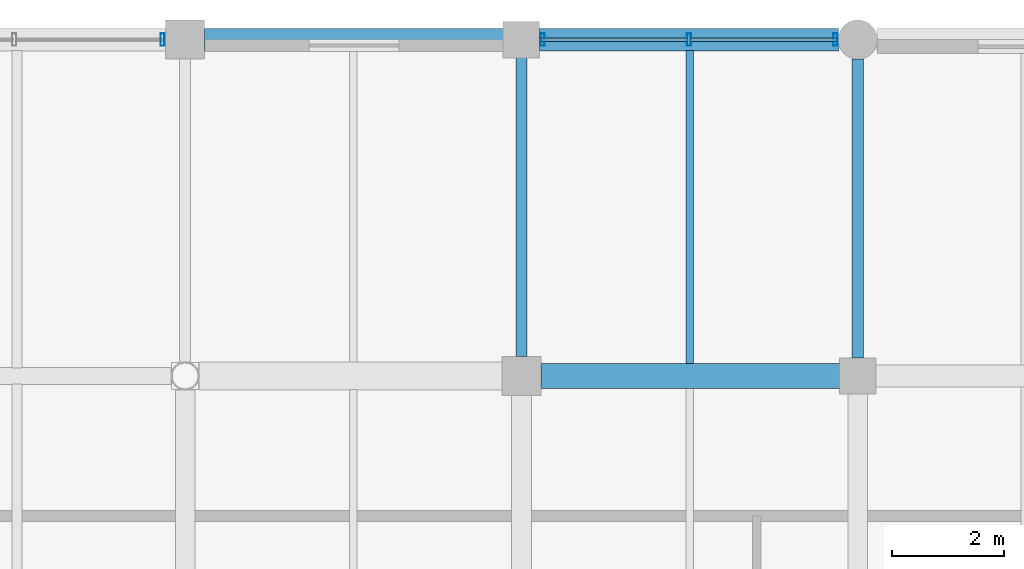
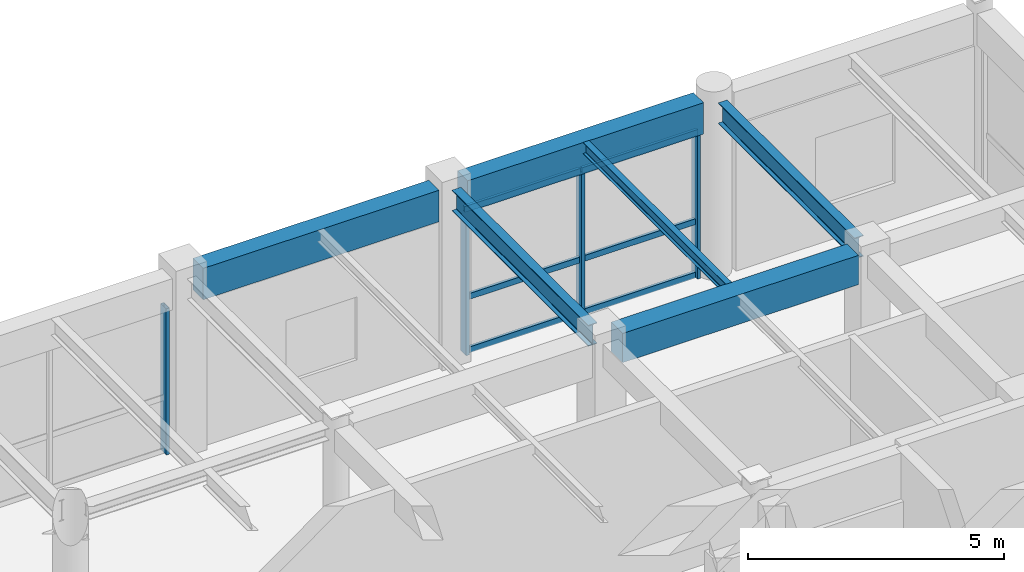
# One storey, part 75 of 116: 10 members, 6 beams, 2 elements without a shape of their own.
"""IFC4 building model written with IfcOpenShell, lengths in metres."""

from ifc_helpers import new_model, si_unit, direction, frame, origin, origin_2d, place, context, subcontext, project, spatial, rectangle, hollow_rectangle, i_section, extrude, material, material_profile, profile_set, type_object, element, aggregate, save


model = new_model("IFC4")

# Units and contexts
model_context = context("Model", 3, precision=1e-05, world=origin(), true_north=direction((0.0, 1.0)))
body_context = subcontext(model_context, "Body", "Model", "MODEL_VIEW")
ifc_project = project(units=[si_unit("LENGTHUNIT", "METRE"), si_unit("AREAUNIT", "SQUARE_METRE"), si_unit("VOLUMEUNIT", "CUBIC_METRE"), si_unit("PLANEANGLEUNIT", "RADIAN"), si_unit("MASSUNIT", "GRAM", prefix="KILO"), si_unit("THERMODYNAMICTEMPERATUREUNIT", "KELVIN"), si_unit("POWERUNIT", "WATT")], contexts=[model_context])

# Site, building, storey
site_placement = place(None, origin())
site = spatial("IfcSite", under=ifc_project, at=site_placement, CompositionType="ELEMENT")
building_placement = place(site_placement, origin())
building = spatial("IfcBuilding", under=site, at=building_placement, Name="Phaisarnlok Congress Hotel", CompositionType="ELEMENT")
storey_placement = place(building_placement, frame((0.0, 0.0, 10.5)))
storey = spatial("IfcBuildingStorey", under=building, at=storey_placement, Name="L02", CompositionType="ELEMENT", Elevation=10.5)

# Beams
ifc_material_1 = material(Name="Concrete C40/50", Category="concrete")
ifc_material_profile_1 = material_profile(ifc_material_1, rectangle(XDim=0.449951171875, YDim=0.699951171875, at=origin_2d()), Name="RC 450x700")
ifc_profile_set_1 = profile_set([ifc_material_profile_1], Name="Concrete C40/50")
beam_type_1 = type_object("IfcBeamType", Name="BM-RC-450x700", PredefinedType="BEAM", material=ifc_profile_set_1)
beam_1_placement = place(storey_placement, frame((168.344970703125, 120.0, 3.889892578125), z_axis=(1.0, 0.0, 0.0), x_axis=(0.0, 1.0, 0.0)))
element("IfcBeam", 1, at=beam_1_placement, inside=storey, type_object=beam_type_1, Name="Beam B-03", PredefinedType="BEAM", context=body_context, shape_type="SweptSolid", body=[
    extrude(rectangle(XDim=0.449951171875, YDim=0.699951171875, at=origin_2d()), origin(), (0.0, 0.0, 1.0), 5.3349609375),
])
ifc_material_2 = material(Name="Steel S355", Category="steel")
ifc_material_profile_2 = material_profile(ifc_material_2, i_section(OverallWidth=0.199951171875, OverallDepth=0.5, WebThickness=0.01025390625, FlangeThickness=0.01611328125, FilletRadius=0.02099609375, at=origin_2d()), Name="IPE 500")
ifc_profile_set_2 = profile_set([ifc_material_profile_2], Name="Steel S355")
beam_type_2 = type_object("IfcBeamType", Name="BM-STL-IPE500", PredefinedType="BEAM", material=ifc_profile_set_2)
for number, where, z_axis, x_axis, name in (
    (2, (168.0, 120.344970703125, 3.989990234375), (0.0, 1.0, 0.0), (-1.0, 0.0, 0.0), "Beam SB-02"),
    (3, (174.0, 120.320068359375, 3.989990234375), (0.0, 1.0, 0.0), (-1.0, 0.0, 0.0), "Beam SB-02"),
):
    element("IfcBeam", number, at=place(storey_placement, frame(where, z_axis=z_axis, x_axis=x_axis)), inside=storey, type_object=beam_type_2, Name=name, PredefinedType="BEAM", context=body_context, shape_type="SweptSolid", body=[
        extrude(i_section(OverallWidth=0.199951171875, OverallDepth=0.5, WebThickness=0.01025390625, FlangeThickness=0.01611328125, FilletRadius=0.02099609375, at=origin_2d()), origin(), (0.0, 0.0, 1.0), 5.3349609375),
    ])

# Curtain wall, members
ifc_material_3 = material(Name="Thermally Broken Unitised Aluminium & Low-E Glazing", Category="aluminium")
curtain_wall_type_1 = type_object("IfcCurtainWallType", Name="CW-UNIT-16", PredefinedType="NOTDEFINED", material=ifc_material_3)
curtain_wall_1_placement = place(storey_placement, origin())
curtain_wall_1 = element("IfcCurtainWall", 4, at=curtain_wall_1_placement, inside=storey, type_object=curtain_wall_type_1, Name="Unitised curtain wall CW-16 (L02)", PredefinedType="NOTDEFINED")
ifc_material_4 = material(Name="Anodised Aluminium Alloy 6063-T6", Category="aluminium")
ifc_material_profile_3 = material_profile(ifc_material_4, hollow_rectangle(XDim=0.074951171875, YDim=0.219970703125, WallThickness=0.0048828125, at=origin_2d()), Name="ALU-M 75x220x5")
ifc_profile_set_3 = profile_set([ifc_material_profile_3], Name="Anodised Aluminium Alloy 6063-T6")
member_type_1 = type_object("IfcMemberType", Name="CWM-220", PredefinedType="MULLION", material=ifc_profile_set_3)
member_1_placement = place(storey_placement, frame((173.60009765625, 126.0, 0.0), z_axis=(0.0, 0.0, 1.0), x_axis=(-1.0, 0.0, 0.0)))
member_1 = element("IfcMember", 5, at=member_1_placement, type_object=member_type_1, Name="Curtain wall mullion CWM-02", PredefinedType="MULLION", context=body_context, shape_type="SweptSolid", body=[
    extrude(hollow_rectangle(XDim=0.074951171875, YDim=0.219970703125, WallThickness=0.0048828125, at=origin_2d()), origin(), (0.0, 0.0, 1.0), 3.489990234375),
])
member_2_placement = place(storey_placement, frame((170.987548828125, 126.0, 0.0), z_axis=(0.0, 0.0, 1.0), x_axis=(-1.0, 0.0, 0.0)))
member_2 = element("IfcMember", 6, at=member_2_placement, type_object=member_type_1, Name="Curtain wall mullion CWM-02", PredefinedType="MULLION", context=body_context, shape_type="SweptSolid", body=[
    extrude(hollow_rectangle(XDim=0.074951171875, YDim=0.219970703125, WallThickness=0.0048828125, at=origin_2d()), origin(), (0.0, 0.0, 1.0), 3.489990234375),
])
member_3_placement = place(storey_placement, frame((168.375, 126.0, 0.0), z_axis=(0.0, 0.0, 1.0), x_axis=(-1.0, 0.0, 0.0)))
member_3 = element("IfcMember", 7, at=member_3_placement, type_object=member_type_1, Name="Curtain wall mullion CWM-02", PredefinedType="MULLION", context=body_context, shape_type="SweptSolid", body=[
    extrude(hollow_rectangle(XDim=0.074951171875, YDim=0.219970703125, WallThickness=0.0048828125, at=origin_2d()), origin(), (0.0, 0.0, 1.0), 3.489990234375),
])

# Curtain wall, member
curtain_wall_type_2 = type_object("IfcCurtainWallType", Name="CW-UNIT-17", PredefinedType="NOTDEFINED", material=ifc_material_3)
curtain_wall_2_placement = place(storey_placement, origin())
curtain_wall_2 = element("IfcCurtainWall", 8, at=curtain_wall_2_placement, inside=storey, type_object=curtain_wall_type_2, Name="Unitised curtain wall CW-17 (L02)", PredefinedType="NOTDEFINED")
member_4_placement = place(storey_placement, frame((161.60009765625, 126.0, 0.0), z_axis=(0.0, 0.0, 1.0), x_axis=(-1.0, 0.0, 0.0)))
member_4 = element("IfcMember", 9, at=member_4_placement, type_object=member_type_1, Name="Curtain wall mullion CWM-02", PredefinedType="MULLION", context=body_context, shape_type="SweptSolid", body=[
    extrude(hollow_rectangle(XDim=0.074951171875, YDim=0.219970703125, WallThickness=0.0048828125, at=origin_2d()), origin(), (0.0, 0.0, 1.0), 3.489990234375),
])
aggregate(curtain_wall_2, [member_4])

# Member
ifc_material_profile_4 = material_profile(ifc_material_4, hollow_rectangle(XDim=0.06494140625, YDim=0.139892578125, WallThickness=0.00390625, at=origin_2d()), Name="ALU-T 65x140x4")
ifc_profile_set_4 = profile_set([ifc_material_profile_4], Name="Anodised Aluminium Alloy 6063-T6")
member_type_2 = type_object("IfcMemberType", Name="CWT-150", PredefinedType="USERDEFINED", material=ifc_profile_set_4)
member_5_placement = place(storey_placement, frame((173.625, 126.0, 0.050048828125), z_axis=(-1.0, 0.0, 0.0), x_axis=(0.0, -1.0, 0.0)))
member_5 = element("IfcMember", 10, at=member_5_placement, type_object=member_type_2, Name="Curtain wall transom CWT-01", ObjectType="TRANSOM", PredefinedType="USERDEFINED", context=body_context, shape_type="SweptSolid", body=[
    extrude(hollow_rectangle(XDim=0.06494140625, YDim=0.139892578125, WallThickness=0.00390625, at=origin_2d()), origin(), (0.0, 0.0, 1.0), 2.62255859375),
])

member_6_placement = place(storey_placement, frame((173.625, 126.0, 1.326171875), z_axis=(-1.0, 0.0, 0.0), x_axis=(0.0, -1.0, 0.0)))
member_6 = element("IfcMember", 11, at=member_6_placement, type_object=member_type_2, Name="Curtain wall transom CWT-01", ObjectType="TRANSOM", PredefinedType="USERDEFINED", context=body_context, shape_type="SweptSolid", body=[
    extrude(hollow_rectangle(XDim=0.06494140625, YDim=0.139892578125, WallThickness=0.00390625, at=origin_2d()), origin(), (0.0, 0.0, 1.0), 2.62255859375),
])

member_7_placement = place(storey_placement, frame((173.625, 126.0, 3.43994140625), z_axis=(-1.0, 0.0, 0.0), x_axis=(0.0, -1.0, 0.0)))
member_7 = element("IfcMember", 12, at=member_7_placement, type_object=member_type_2, Name="Curtain wall transom CWT-01", ObjectType="TRANSOM", PredefinedType="USERDEFINED", context=body_context, shape_type="SweptSolid", body=[
    extrude(hollow_rectangle(XDim=0.06494140625, YDim=0.139892578125, WallThickness=0.00390625, at=origin_2d()), origin(), (0.0, 0.0, 1.0), 2.62255859375),
])

member_8_placement = place(storey_placement, frame((170.972412109375, 126.0, 0.050048828125), z_axis=(-1.0, 0.0, 0.0), x_axis=(0.0, -1.0, 0.0)))
member_8 = element("IfcMember", 13, at=member_8_placement, type_object=member_type_2, Name="Curtain wall transom CWT-01", ObjectType="TRANSOM", PredefinedType="USERDEFINED", context=body_context, shape_type="SweptSolid", body=[
    extrude(hollow_rectangle(XDim=0.06494140625, YDim=0.139892578125, WallThickness=0.00390625, at=origin_2d()), origin(), (0.0, 0.0, 1.0), 2.622314453125),
])

member_9_placement = place(storey_placement, frame((170.972412109375, 126.0, 1.326171875), z_axis=(-1.0, 0.0, 0.0), x_axis=(0.0, -1.0, 0.0)))
member_9 = element("IfcMember", 14, at=member_9_placement, type_object=member_type_2, Name="Curtain wall transom CWT-01", ObjectType="TRANSOM", PredefinedType="USERDEFINED", context=body_context, shape_type="SweptSolid", body=[
    extrude(hollow_rectangle(XDim=0.06494140625, YDim=0.139892578125, WallThickness=0.00390625, at=origin_2d()), origin(), (0.0, 0.0, 1.0), 2.622314453125),
])

member_10_placement = place(storey_placement, frame((170.972412109375, 126.0, 3.43994140625), z_axis=(-1.0, 0.0, 0.0), x_axis=(0.0, -1.0, 0.0)))
member_10 = element("IfcMember", 15, at=member_10_placement, type_object=member_type_2, Name="Curtain wall transom CWT-01", ObjectType="TRANSOM", PredefinedType="USERDEFINED", context=body_context, shape_type="SweptSolid", body=[
    extrude(hollow_rectangle(XDim=0.06494140625, YDim=0.139892578125, WallThickness=0.00390625, at=origin_2d()), origin(), (0.0, 0.0, 1.0), 2.622314453125),
])

aggregate(curtain_wall_1, [member_1, member_2, member_3, member_5, member_6, member_7, member_8, member_9, member_10])

# Beams
ifc_material_profile_5 = material_profile(ifc_material_2, i_section(OverallWidth=0.135009765625, OverallDepth=0.27001953125, WebThickness=0.006591796875, FlangeThickness=0.01025390625, FilletRadius=0.014892578125, at=origin_2d()), Name="IPE 270")
ifc_profile_set_5 = profile_set([ifc_material_profile_5], Name="Steel S355")
beam_type_3 = type_object("IfcBeamType", Name="JS-STL-IPE270", PredefinedType="JOIST", material=ifc_profile_set_5)
beam_2_placement = place(storey_placement, frame((171.0, 120.219970703125, 4.10498046875), z_axis=(0.0, 1.0, 0.0), x_axis=(-1.0, 0.0, 0.0)))
element("IfcBeam", 16, at=beam_2_placement, inside=storey, type_object=beam_type_3, Name="Secondary floor joist J-02", PredefinedType="JOIST", context=body_context, shape_type="SweptSolid", body=[
    extrude(i_section(OverallWidth=0.135009765625, OverallDepth=0.27001953125, WebThickness=0.006591796875, FlangeThickness=0.01025390625, FilletRadius=0.014892578125, at=origin_2d()), origin(), (0.0, 0.0, 1.0), 5.5849609375),
])
ifc_material_profile_6 = material_profile(ifc_material_1, rectangle(XDim=0.39990234375, YDim=0.75, at=origin_2d()), Name="RC 400x750")
ifc_profile_set_6 = profile_set([ifc_material_profile_6], Name="Concrete C40/50")
beam_type_4 = type_object("IfcBeamType", Name="SP-RC-400x750", PredefinedType="SPANDREL", material=ifc_profile_set_6)
for number, where, z_axis, x_axis, name in (
    (17, (162.344970703125, 126.0, 3.864990234375), (1.0, 0.0, 0.0), (0.0, 1.0, 0.0), "Beam SP-02"),
    (18, (168.320068359375, 126.0, 3.864990234375), (1.0, 0.0, 0.0), (0.0, 1.0, 0.0), "Beam SP-02"),
):
    element("IfcBeam", number, at=place(storey_placement, frame(where, z_axis=z_axis, x_axis=x_axis)), inside=storey, type_object=beam_type_4, Name=name, PredefinedType="SPANDREL", context=body_context, shape_type="SweptSolid", body=[
        extrude(rectangle(XDim=0.39990234375, YDim=0.75, at=origin_2d()), origin(), (0.0, 0.0, 1.0), 5.3349609375),
    ])

save(model, "model.ifc")
